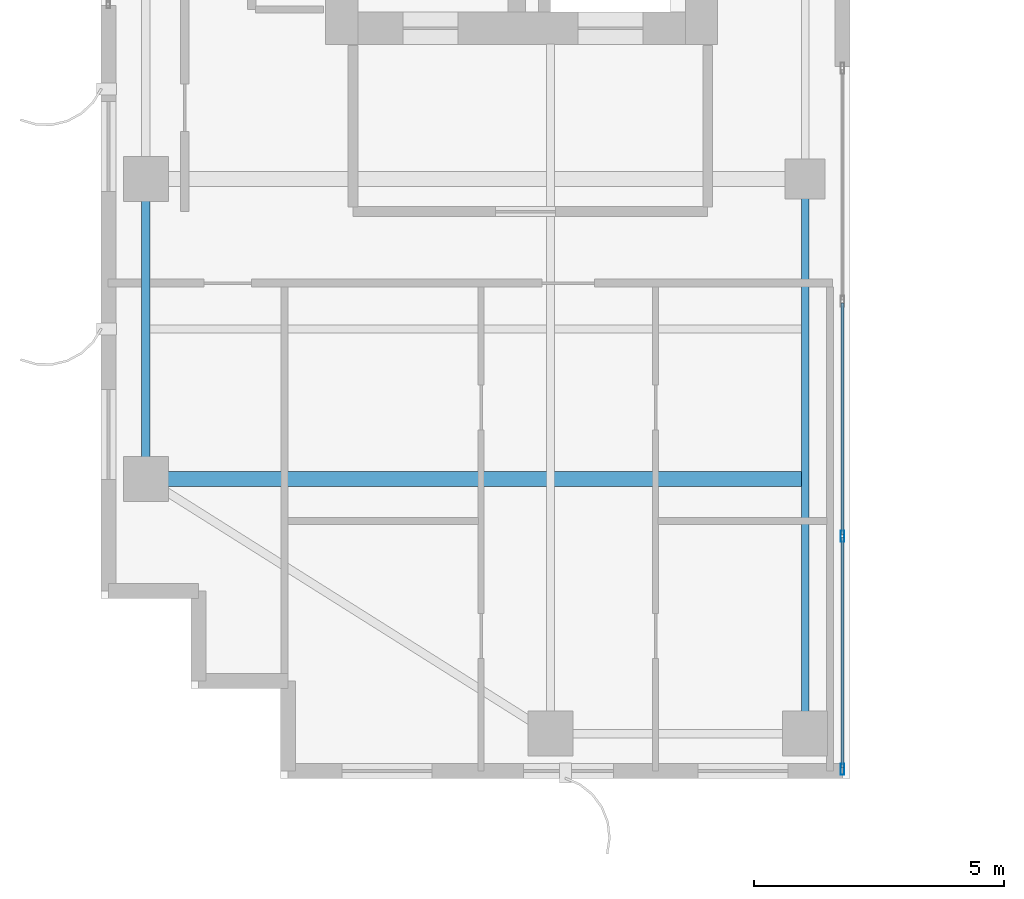
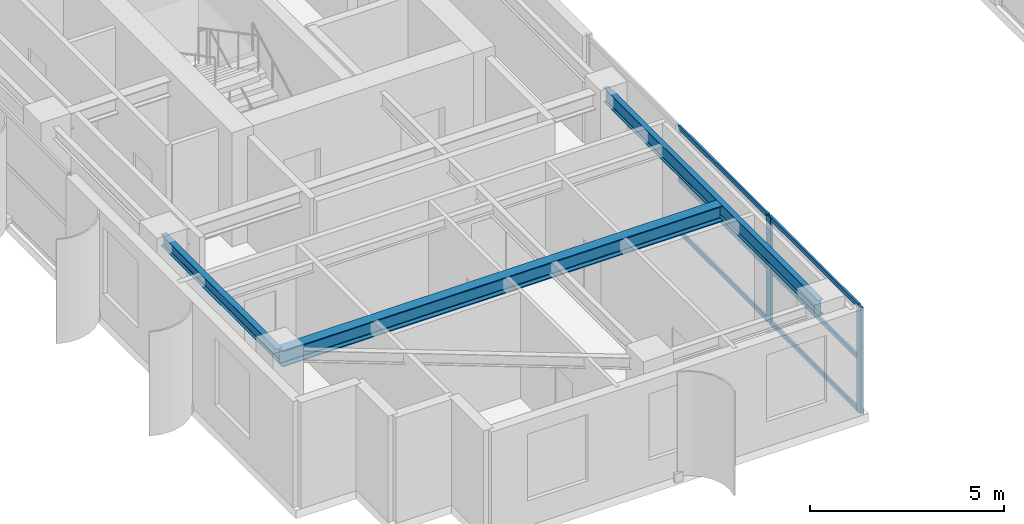
# One storey, part 2 of 22: 8 members, 3 beams, 1 element without a shape of its own.
"""IFC4 building model written with IfcOpenShell, lengths in metres."""

from ifc_helpers import new_model, si_unit, direction, frame, origin, origin_2d, place, context, subcontext, project, spatial, hollow_rectangle, i_section, extrude, source, transform, mapped, material, layer, layer_set, material_profile, profile_set, type_object, element, aggregate, save


model = new_model("IFC4")

# Units and contexts
model_context = context("Model", 3, precision=1e-05, world=origin(), true_north=direction((0.0, 1.0)))
body_context = subcontext(model_context, "Body", "Model", "MODEL_VIEW")
ifc_project = project(units=[si_unit("LENGTHUNIT", "METRE"), si_unit("AREAUNIT", "SQUARE_METRE"), si_unit("VOLUMEUNIT", "CUBIC_METRE"), si_unit("PLANEANGLEUNIT", "RADIAN"), si_unit("MASSUNIT", "GRAM", prefix="KILO")], contexts=[model_context])

# Site, building, storey
site_placement = place(None, origin())
site = spatial("IfcSite", under=ifc_project, at=site_placement, CompositionType="ELEMENT")
building_placement = place(site_placement, origin())
building = spatial("IfcBuilding", under=site, at=building_placement, Name="Khoralis Quay Care Tower", CompositionType="ELEMENT")
storey_placement = place(building_placement, frame((0.0, 0.0, 209.699951171875)))
storey = spatial("IfcBuildingStorey", under=building, at=storey_placement, Name="L55", CompositionType="ELEMENT", Elevation=209.699951171875)

# Beams
ifc_material_1 = material(Name="Steel S355", Category="steel")
ifc_material_profile_1 = material_profile(ifc_material_1, i_section(OverallWidth=0.169921875, OverallDepth=0.360107421875, WebThickness=0.008056640625, FlangeThickness=0.0126953125, FilletRadius=0.01806640625, at=origin_2d()), Name="Steel S355")
ifc_profile_set_1 = profile_set([ifc_material_profile_1], Name="Steel S355")
beam_type_1 = type_object("IfcBeamType", Name="BM-IPE360", PredefinedType="SPANDREL", material=ifc_profile_set_1)
shared_shape_1 = source(origin(), body_context, "Body", "SweptSolid", [
    extrude(i_section(OverallWidth=0.169921875, OverallDepth=0.360107421875, WebThickness=0.008056640625, FlangeThickness=0.0126953125, FilletRadius=0.01806640625, at=origin_2d()), origin(), (0.0, 0.0, 1.0), 6.0),
])
beam_1_placement = place(storey_placement, frame((3.89990234375, 6.0, 3.16015625), z_axis=(0.0, 1.0, 0.0), x_axis=(-1.0, 0.0, 0.0)))
element("IfcBeam", 1, at=beam_1_placement, inside=storey, type_object=beam_type_1, Name="BM-TSP-L55-05", PredefinedType="SPANDREL", context=body_context, shape_type="MappedRepresentation", body=[
    mapped(shared_shape_1, transform((0.0, 0.0, 0.0), scale=1.0)),
])
ifc_material_profile_2 = material_profile(ifc_material_1, i_section(OverallWidth=0.300048828125, OverallDepth=0.5, WebThickness=0.014404296875, FlangeThickness=0.028076171875, FilletRadius=0.027099609375, at=origin_2d()), Name="Steel S355")
ifc_profile_set_2 = profile_set([ifc_material_profile_2], Name="Steel S355")
beam_type_2 = type_object("IfcBeamType", Name="BM-HEB500", PredefinedType="BEAM", material=ifc_profile_set_2)
shared_shape_2 = source(origin(), body_context, "Body", "SweptSolid", [
    extrude(i_section(OverallWidth=0.300048828125, OverallDepth=0.5, WebThickness=0.014404296875, FlangeThickness=0.028076171875, FilletRadius=0.027099609375, at=origin_2d()), origin(), (0.0, 0.0, 1.0), 13.135009765625),
])
beam_2_placement = place(storey_placement, frame((3.89990234375, 6.0, 3.090087890625), z_axis=(1.0, 0.0, 0.0), x_axis=(0.0, 1.0, 0.0)))
element("IfcBeam", 2, at=beam_2_placement, inside=storey, type_object=beam_type_2, Name="BM-TGXW-L55-60", PredefinedType="BEAM", context=body_context, shape_type="MappedRepresentation", body=[
    mapped(shared_shape_2, transform((0.0, 0.0, 0.0), scale=1.0)),
])
ifc_material_profile_3 = material_profile(ifc_material_1, i_section(OverallWidth=0.154052734375, OverallDepth=0.458984375, WebThickness=0.009033203125, FlangeThickness=0.015380859375, FilletRadius=0.014892578125, at=origin_2d()), Name="Steel S355")
ifc_profile_set_3 = profile_set([ifc_material_profile_3], Name="Steel S355")
beam_type_3 = type_object("IfcBeamType", Name="BM-W460X68", PredefinedType="BEAM", material=ifc_profile_set_3)
shared_shape_3 = source(origin(), body_context, "Body", "SweptSolid", [
    extrude(i_section(OverallWidth=0.154052734375, OverallDepth=0.458984375, WebThickness=0.009033203125, FlangeThickness=0.015380859375, FilletRadius=0.014892578125, at=origin_2d()), origin(), (0.0, 0.0, 1.0), 11.10009765625),
])
beam_3_placement = place(storey_placement, frame((17.10009765625, 0.89990234375, 3.110595703125), z_axis=(0.0, 1.0, 0.0), x_axis=(-1.0, 0.0, 0.0)))
element("IfcBeam", 3, at=beam_3_placement, inside=storey, type_object=beam_type_3, Name="BM-TGYS-L55-171", PredefinedType="BEAM", context=body_context, shape_type="MappedRepresentation", body=[
    mapped(shared_shape_3, transform((0.0, 0.0, 0.0), scale=1.0)),
])

# Curtain wall, members
ifc_material_2 = material(Name="Pale anodised aluminium", Category="aluminium")
ifc_layer = layer(ifc_material_2, 0.18994140625)
ifc_layer_set = layer_set([ifc_layer], Name="Pale anodised aluminium")
curtain_wall_type = type_object("IfcCurtainWallType", Name="CW-SYS-PORTAL", PredefinedType="NOTDEFINED", material=ifc_layer_set)
curtain_wall_placement = place(storey_placement, origin())
curtain_wall = element("IfcCurtainWall", 4, at=curtain_wall_placement, inside=storey, type_object=curtain_wall_type, Name="L55 Unitised Curtain Wall CW-VP-L55-P1-S", PredefinedType="NOTDEFINED")
ifc_material_profile_4 = material_profile(ifc_material_2, hollow_rectangle(XDim=0.074951171875, YDim=0.219970703125, WallThickness=0.00390625, at=origin_2d()), Name="Pale anodised aluminium")
ifc_profile_set_4 = profile_set([ifc_material_profile_4], Name="Pale anodised aluminium")
member_type_1 = type_object("IfcMemberType", Name="CW-MUL-220", PredefinedType="MULLION", material=ifc_profile_set_4)
shared_shape_4 = source(origin(), body_context, "Body", "SweptSolid", [
    extrude(hollow_rectangle(XDim=0.074951171875, YDim=0.219970703125, WallThickness=0.00390625, at=origin_2d()), origin(), (0.0, 0.0, 1.0), 3.340087890625),
])
member_1_placement = place(storey_placement, frame((17.85009765625, 0.179931640625, 0.0), z_axis=(0.0, 0.0, 1.0), x_axis=(-1.0, 0.0, 0.0)))
member_1 = element("IfcMember", 5, at=member_1_placement, type_object=member_type_1, Name="CW4 mullion 1", PredefinedType="MULLION", context=body_context, shape_type="MappedRepresentation", body=[
    mapped(shared_shape_4, transform((0.0, 0.0, 0.0), scale=1.0)),
])
member_2_placement = place(storey_placement, frame((17.85009765625, 4.85009765625, 0.0), z_axis=(0.0, 0.0, 1.0), x_axis=(-1.0, 0.0, 0.0)))
member_2 = element("IfcMember", 6, at=member_2_placement, type_object=member_type_1, Name="CW4 mullion 2", PredefinedType="MULLION", context=body_context, shape_type="MappedRepresentation", body=[
    mapped(shared_shape_4, transform((0.0, 0.0, 0.0), scale=1.0)),
])
ifc_material_profile_5 = material_profile(ifc_material_2, hollow_rectangle(XDim=0.06005859375, YDim=0.139892578125, WallThickness=0.00390625, at=origin_2d()), Name="Pale anodised aluminium")
ifc_profile_set_5 = profile_set([ifc_material_profile_5], Name="Pale anodised aluminium")
member_type_2 = type_object("IfcMemberType", Name="CW-TRN-140", PredefinedType="USERDEFINED", material=ifc_profile_set_5)
shared_shape_5 = source(origin(), body_context, "Body", "SweptSolid", [
    extrude(hollow_rectangle(XDim=0.06005859375, YDim=0.139892578125, WallThickness=0.00390625, at=origin_2d()), origin(), (0.0, 0.0, 1.0), 4.610107421875),
])
member_3_placement = place(storey_placement, frame((17.85009765625, 0.2099609375, 0.030029296875), z_axis=(0.0, 1.0, 0.0), x_axis=(-1.0, 0.0, 0.0)))
member_3 = element("IfcMember", 7, at=member_3_placement, type_object=member_type_2, Name="CW4 transom 1.1", ObjectType="TRANSOM", PredefinedType="USERDEFINED", context=body_context, shape_type="MappedRepresentation", body=[
    mapped(shared_shape_5, transform((0.0, 0.0, 0.0), scale=1.0)),
])
member_4_placement = place(storey_placement, frame((17.85009765625, 0.2099609375, 1.670166015625), z_axis=(0.0, 1.0, 0.0), x_axis=(-1.0, 0.0, 0.0)))
member_4 = element("IfcMember", 8, at=member_4_placement, type_object=member_type_2, Name="CW4 transom 1.2", ObjectType="TRANSOM", PredefinedType="USERDEFINED", context=body_context, shape_type="MappedRepresentation", body=[
    mapped(shared_shape_5, transform((0.0, 0.0, 0.0), scale=1.0)),
])
member_5_placement = place(storey_placement, frame((17.85009765625, 0.2099609375, 3.31005859375), z_axis=(0.0, 1.0, 0.0), x_axis=(-1.0, 0.0, 0.0)))
member_5 = element("IfcMember", 9, at=member_5_placement, type_object=member_type_2, Name="CW4 transom 1.3", ObjectType="TRANSOM", PredefinedType="USERDEFINED", context=body_context, shape_type="MappedRepresentation", body=[
    mapped(shared_shape_5, transform((0.0, 0.0, 0.0), scale=1.0)),
])
shared_shape_6 = source(origin(), body_context, "Body", "SweptSolid", [
    extrude(hollow_rectangle(XDim=0.06005859375, YDim=0.139892578125, WallThickness=0.00390625, at=origin_2d()), origin(), (0.0, 0.0, 1.0), 4.64013671875),
])
member_6_placement = place(storey_placement, frame((17.85009765625, 4.8798828125, 0.030029296875), z_axis=(0.0, 1.0, 0.0), x_axis=(-1.0, 0.0, 0.0)))
member_6 = element("IfcMember", 10, at=member_6_placement, type_object=member_type_2, Name="CW4 transom 2.1", ObjectType="TRANSOM", PredefinedType="USERDEFINED", context=body_context, shape_type="MappedRepresentation", body=[
    mapped(shared_shape_6, transform((0.0, 0.0, 0.0), scale=1.0)),
])
member_7_placement = place(storey_placement, frame((17.85009765625, 4.8798828125, 1.670166015625), z_axis=(0.0, 1.0, 0.0), x_axis=(-1.0, 0.0, 0.0)))
member_7 = element("IfcMember", 11, at=member_7_placement, type_object=member_type_2, Name="CW4 transom 2.2", ObjectType="TRANSOM", PredefinedType="USERDEFINED", context=body_context, shape_type="MappedRepresentation", body=[
    mapped(shared_shape_6, transform((0.0, 0.0, 0.0), scale=1.0)),
])
member_8_placement = place(storey_placement, frame((17.85009765625, 4.8798828125, 3.31005859375), z_axis=(0.0, 1.0, 0.0), x_axis=(-1.0, 0.0, 0.0)))
member_8 = element("IfcMember", 12, at=member_8_placement, type_object=member_type_2, Name="CW4 transom 2.3", ObjectType="TRANSOM", PredefinedType="USERDEFINED", context=body_context, shape_type="MappedRepresentation", body=[
    mapped(shared_shape_6, transform((0.0, 0.0, 0.0), scale=1.0)),
])
aggregate(curtain_wall, [member_1, member_2, member_3, member_4, member_5, member_6, member_7, member_8])

save(model, "model.ifc")
